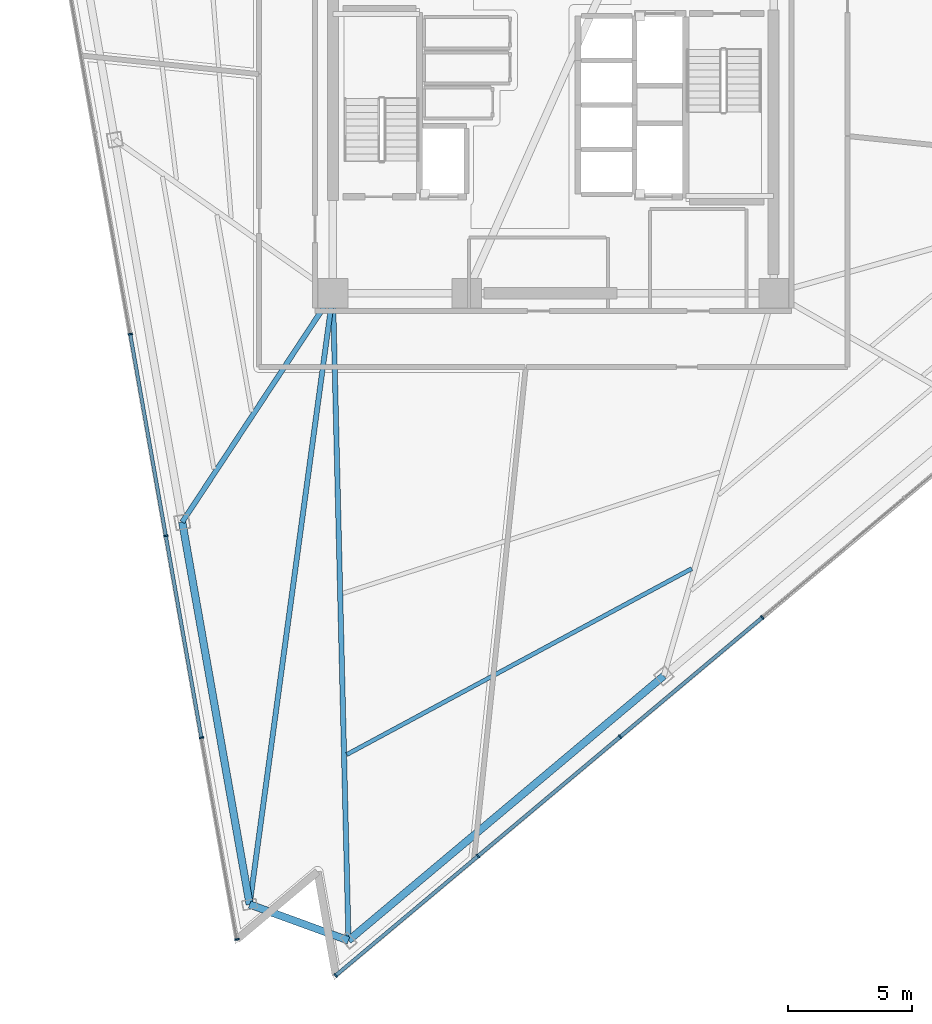
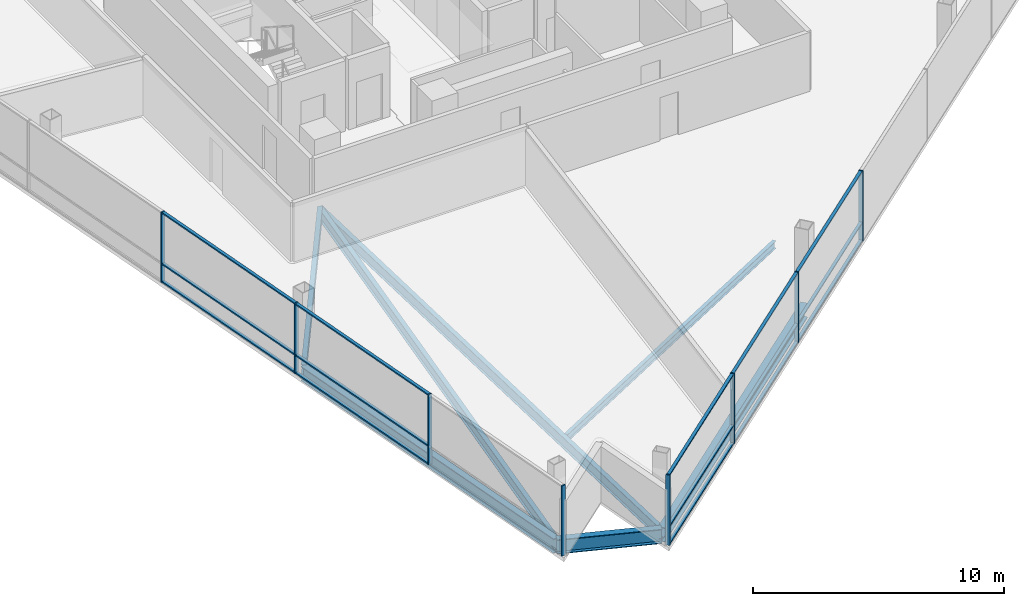
# One storey, part 2 of 17: 23 members, 7 beams, 2 elements without a shape of their own.
"""IFC4 building model written with IfcOpenShell, lengths in metres."""

from ifc_helpers import new_model, si_unit, direction, frame, origin, origin_2d, place, context, subcontext, project, spatial, rectangle, i_section, extrude, material, layer, layer_set, material_profile, profile_set, type_object, element, aggregate, save


model = new_model("IFC4")

# Units and contexts
model_context = context("Model", 3, precision=1e-05, world=origin(), true_north=direction((0.0, 1.0)))
body_context = subcontext(model_context, "Body", "Model", "MODEL_VIEW")
ifc_project = project(units=[si_unit("LENGTHUNIT", "METRE"), si_unit("AREAUNIT", "SQUARE_METRE"), si_unit("VOLUMEUNIT", "CUBIC_METRE"), si_unit("PLANEANGLEUNIT", "RADIAN"), si_unit("MASSUNIT", "GRAM", prefix="KILO")], contexts=[model_context])

# Site, building, storey
site_placement = place(None, origin())
site = spatial("IfcSite", under=ifc_project, at=site_placement, CompositionType="ELEMENT")
building_placement = place(site_placement, origin())
building = spatial("IfcBuilding", under=site, at=building_placement, Name="Tharavind Bronze Gate", CompositionType="ELEMENT")
storey_placement = place(building_placement, frame((0.0, 0.0, 184.89990234375)))
storey = spatial("IfcBuildingStorey", under=building, at=storey_placement, Name="L47", CompositionType="ELEMENT", Elevation=184.89990234375)

# Curtain wall, members
ifc_material_1 = material(Name="Anodised Bronze Aluminium", Category="aluminium")
ifc_layer = layer(ifc_material_1, 0.219970703125)
ifc_layer_set = layer_set([ifc_layer], Name="Anodised Bronze Aluminium")
curtain_wall_type = type_object("IfcCurtainWallType", Name="UNITISED CURTAIN WALL MID OFFICE", PredefinedType="USERDEFINED", material=ifc_layer_set)
curtain_wall_1_placement = place(storey_placement, origin())
curtain_wall_1 = element("IfcCurtainWall", 1, at=curtain_wall_1_placement, inside=storey, type_object=curtain_wall_type, Name="L47 unitised curtain wall mid office CW-L47-S1", ObjectType="UNITISED CURTAIN WALL", PredefinedType="USERDEFINED")
member_type_1 = type_object("IfcMemberType", Name="CURTAIN WALL BRONZE MULLION 65X180", PredefinedType="MULLION", material=ifc_material_1)
member_1_placement = place(storey_placement, frame((-17.086669921875, -9.250732421875, 0.000244140625), z_axis=(0.0, 0.0, 1.0), x_axis=(0.173648177667, -0.984807753012, 0.0)))
member_1 = element("IfcMember", 2, at=member_1_placement, type_object=member_type_1, Name="CW-L47-S1 mullion 4", PredefinedType="MULLION", context=body_context, shape_type="SweptSolid", body=[
    extrude(rectangle(XDim=0.06494140625, YDim=0.179931640625, at=origin_2d()), origin(), (0.0, 0.0, 1.0), 3.419921875),
])
member_2_placement = place(storey_placement, frame((-15.650146484375, -17.3984375, 0.000244140625), z_axis=(0.0, 0.0, 1.0), x_axis=(0.173648177667, -0.984807753012, 0.0)))
member_2 = element("IfcMember", 3, at=member_2_placement, type_object=member_type_1, Name="CW-L47-S1 mullion 5", PredefinedType="MULLION", context=body_context, shape_type="SweptSolid", body=[
    extrude(rectangle(XDim=0.06494140625, YDim=0.179931640625, at=origin_2d()), origin(), (0.0, 0.0, 1.0), 3.419921875),
])
member_3_placement = place(storey_placement, frame((-14.21337890625, -25.546142578125, 0.000244140625), z_axis=(0.0, 0.0, 1.0), x_axis=(0.173648177667, -0.984807753012, 0.0)))
member_3 = element("IfcMember", 4, at=member_3_placement, type_object=member_type_1, Name="CW-L47-S1 mullion 6", PredefinedType="MULLION", context=body_context, shape_type="SweptSolid", body=[
    extrude(rectangle(XDim=0.06494140625, YDim=0.179931640625, at=origin_2d()), origin(), (0.0, 0.0, 1.0), 3.419921875),
])
member_4_placement = place(storey_placement, frame((-12.77685546875, -33.69384765625, 0.000244140625), z_axis=(0.0, 0.0, 1.0), x_axis=(0.173648177667, -0.984807753012, 0.0)))
member_4 = element("IfcMember", 5, at=member_4_placement, type_object=member_type_1, Name="CW-L47-S1 mullion 7", PredefinedType="MULLION", context=body_context, shape_type="SweptSolid", body=[
    extrude(rectangle(XDim=0.06494140625, YDim=0.179931640625, at=origin_2d()), origin(), (0.0, 0.0, 1.0), 3.419921875),
])

curtain_wall_2_placement = place(storey_placement, origin())
curtain_wall_2 = element("IfcCurtainWall", 6, at=curtain_wall_2_placement, inside=storey, type_object=curtain_wall_type, Name="L47 unitised curtain wall mid office CW-L47-S2", ObjectType="UNITISED CURTAIN WALL", PredefinedType="USERDEFINED")
member_5_placement = place(storey_placement, frame((-8.784912109375, -35.146728515625, 0.000244140625), z_axis=(0.0, 0.0, 1.0), x_axis=(0.766043321242, 0.642788946685, 0.0)))
member_5 = element("IfcMember", 7, at=member_5_placement, type_object=member_type_1, Name="CW-L47-S2 mullion 1", PredefinedType="MULLION", context=body_context, shape_type="SweptSolid", body=[
    extrude(rectangle(XDim=0.06494140625, YDim=0.179931640625, at=origin_2d()), origin(), (0.0, 0.0, 1.0), 3.419921875),
])
member_6_placement = place(storey_placement, frame((-3.042724609375, -30.328369140625, 0.000244140625), z_axis=(0.0, 0.0, 1.0), x_axis=(0.766043321242, 0.642788946685, 0.0)))
member_6 = element("IfcMember", 8, at=member_6_placement, type_object=member_type_1, Name="CW-L47-S2 mullion 2", PredefinedType="MULLION", context=body_context, shape_type="SweptSolid", body=[
    extrude(rectangle(XDim=0.06494140625, YDim=0.179931640625, at=origin_2d()), origin(), (0.0, 0.0, 1.0), 3.419921875),
])
member_7_placement = place(storey_placement, frame((2.69970703125, -25.510009765625, 0.000244140625), z_axis=(0.0, 0.0, 1.0), x_axis=(0.766043321242, 0.642788946685, 0.0)))
member_7 = element("IfcMember", 9, at=member_7_placement, type_object=member_type_1, Name="CW-L47-S2 mullion 3", PredefinedType="MULLION", context=body_context, shape_type="SweptSolid", body=[
    extrude(rectangle(XDim=0.06494140625, YDim=0.179931640625, at=origin_2d()), origin(), (0.0, 0.0, 1.0), 3.419921875),
])
member_8_placement = place(storey_placement, frame((8.44189453125, -20.691650390625, 0.000244140625), z_axis=(0.0, 0.0, 1.0), x_axis=(0.766043321242, 0.642788946685, 0.0)))
member_8 = element("IfcMember", 10, at=member_8_placement, type_object=member_type_1, Name="CW-L47-S2 mullion 4", PredefinedType="MULLION", context=body_context, shape_type="SweptSolid", body=[
    extrude(rectangle(XDim=0.06494140625, YDim=0.179931640625, at=origin_2d()), origin(), (0.0, 0.0, 1.0), 3.419921875),
])

# Member
member_type_2 = type_object("IfcMemberType", Name="CURTAIN WALL BRONZE TRANSOM 65X140", PredefinedType="USERDEFINED", material=ifc_material_1)
member_9_placement = place(storey_placement, frame((-16.368408203125, -13.32470703125, 0.000244140625), z_axis=(0.0, 0.0, 1.0), x_axis=(0.173648177667, -0.984807753012, 0.0)))
member_9 = element("IfcMember", 11, at=member_9_placement, type_object=member_type_2, Name="CW-L47-S1 transom TB4", ObjectType="TRANSOM", PredefinedType="USERDEFINED", context=body_context, shape_type="SweptSolid", body=[
    extrude(rectangle(XDim=8.220458984375, YDim=0.139892578125, at=origin_2d()), origin(), (0.0, 0.0, 1.0), 0.06494140625),
])

member_10_placement = place(storey_placement, frame((-16.368408203125, -13.32470703125, 0.86767578125), z_axis=(0.0, 0.0, 1.0), x_axis=(0.173648177667, -0.984807753012, 0.0)))
member_10 = element("IfcMember", 12, at=member_10_placement, type_object=member_type_2, Name="CW-L47-S1 transom TS4", ObjectType="TRANSOM", PredefinedType="USERDEFINED", context=body_context, shape_type="SweptSolid", body=[
    extrude(rectangle(XDim=8.220458984375, YDim=0.139892578125, at=origin_2d()), origin(), (0.0, 0.0, 1.0), 0.06494140625),
])

member_11_placement = place(storey_placement, frame((-16.368408203125, -13.32470703125, 3.355224609375), z_axis=(0.0, 0.0, 1.0), x_axis=(0.173648177667, -0.984807753012, 0.0)))
member_11 = element("IfcMember", 13, at=member_11_placement, type_object=member_type_2, Name="CW-L47-S1 transom TT4", ObjectType="TRANSOM", PredefinedType="USERDEFINED", context=body_context, shape_type="SweptSolid", body=[
    extrude(rectangle(XDim=8.220458984375, YDim=0.139892578125, at=origin_2d()), origin(), (0.0, 0.0, 1.0), 0.06494140625),
])

member_12_placement = place(storey_placement, frame((-14.931884765625, -21.472412109375, 0.000244140625), z_axis=(0.0, 0.0, 1.0), x_axis=(0.173648177667, -0.984807753012, 0.0)))
member_12 = element("IfcMember", 14, at=member_12_placement, type_object=member_type_2, Name="CW-L47-S1 transom TB5", ObjectType="TRANSOM", PredefinedType="USERDEFINED", context=body_context, shape_type="SweptSolid", body=[
    extrude(rectangle(XDim=8.220458984375, YDim=0.139892578125, at=origin_2d()), origin(), (0.0, 0.0, 1.0), 0.06494140625),
])

member_13_placement = place(storey_placement, frame((-14.931884765625, -21.472412109375, 0.86767578125), z_axis=(0.0, 0.0, 1.0), x_axis=(0.173648177667, -0.984807753012, 0.0)))
member_13 = element("IfcMember", 15, at=member_13_placement, type_object=member_type_2, Name="CW-L47-S1 transom TS5", ObjectType="TRANSOM", PredefinedType="USERDEFINED", context=body_context, shape_type="SweptSolid", body=[
    extrude(rectangle(XDim=8.220458984375, YDim=0.139892578125, at=origin_2d()), origin(), (0.0, 0.0, 1.0), 0.06494140625),
])

member_14_placement = place(storey_placement, frame((-14.931884765625, -21.472412109375, 3.355224609375), z_axis=(0.0, 0.0, 1.0), x_axis=(0.173648177667, -0.984807753012, 0.0)))
member_14 = element("IfcMember", 16, at=member_14_placement, type_object=member_type_2, Name="CW-L47-S1 transom TT5", ObjectType="TRANSOM", PredefinedType="USERDEFINED", context=body_context, shape_type="SweptSolid", body=[
    extrude(rectangle(XDim=8.220458984375, YDim=0.139892578125, at=origin_2d()), origin(), (0.0, 0.0, 1.0), 0.06494140625),
])

aggregate(curtain_wall_1, [member_1, member_2, member_3, member_4, member_9, member_10, member_11, member_12, member_13, member_14])

member_15_placement = place(storey_placement, frame((-5.913818359375, -32.737548828125, 0.000244140625), z_axis=(0.0, 0.0, 1.0), x_axis=(0.766043321242, 0.642788946685, 0.0)))
member_15 = element("IfcMember", 17, at=member_15_placement, type_object=member_type_2, Name="CW-L47-S2 transom TB1", ObjectType="TRANSOM", PredefinedType="USERDEFINED", context=body_context, shape_type="SweptSolid", body=[
    extrude(rectangle(XDim=7.443115234375, YDim=0.139892578125, at=origin_2d()), origin(), (0.0, 0.0, 1.0), 0.06494140625),
])

member_16_placement = place(storey_placement, frame((-5.913818359375, -32.737548828125, 0.86767578125), z_axis=(0.0, 0.0, 1.0), x_axis=(0.766043321242, 0.642788946685, 0.0)))
member_16 = element("IfcMember", 18, at=member_16_placement, type_object=member_type_2, Name="CW-L47-S2 transom TS1", ObjectType="TRANSOM", PredefinedType="USERDEFINED", context=body_context, shape_type="SweptSolid", body=[
    extrude(rectangle(XDim=7.443115234375, YDim=0.139892578125, at=origin_2d()), origin(), (0.0, 0.0, 1.0), 0.06494140625),
])

member_17_placement = place(storey_placement, frame((-5.913818359375, -32.737548828125, 3.355224609375), z_axis=(0.0, 0.0, 1.0), x_axis=(0.766043321242, 0.642788946685, 0.0)))
member_17 = element("IfcMember", 19, at=member_17_placement, type_object=member_type_2, Name="CW-L47-S2 transom TT1", ObjectType="TRANSOM", PredefinedType="USERDEFINED", context=body_context, shape_type="SweptSolid", body=[
    extrude(rectangle(XDim=7.443115234375, YDim=0.139892578125, at=origin_2d()), origin(), (0.0, 0.0, 1.0), 0.06494140625),
])

member_18_placement = place(storey_placement, frame((-0.171630859375, -27.919189453125, 0.000244140625), z_axis=(0.0, 0.0, 1.0), x_axis=(0.766043321242, 0.642788946685, 0.0)))
member_18 = element("IfcMember", 20, at=member_18_placement, type_object=member_type_2, Name="CW-L47-S2 transom TB2", ObjectType="TRANSOM", PredefinedType="USERDEFINED", context=body_context, shape_type="SweptSolid", body=[
    extrude(rectangle(XDim=7.443115234375, YDim=0.139892578125, at=origin_2d()), origin(), (0.0, 0.0, 1.0), 0.06494140625),
])

member_19_placement = place(storey_placement, frame((-0.171630859375, -27.919189453125, 0.86767578125), z_axis=(0.0, 0.0, 1.0), x_axis=(0.766043321242, 0.642788946685, 0.0)))
member_19 = element("IfcMember", 21, at=member_19_placement, type_object=member_type_2, Name="CW-L47-S2 transom TS2", ObjectType="TRANSOM", PredefinedType="USERDEFINED", context=body_context, shape_type="SweptSolid", body=[
    extrude(rectangle(XDim=7.443115234375, YDim=0.139892578125, at=origin_2d()), origin(), (0.0, 0.0, 1.0), 0.06494140625),
])

member_20_placement = place(storey_placement, frame((-0.171630859375, -27.919189453125, 3.355224609375), z_axis=(0.0, 0.0, 1.0), x_axis=(0.766043321242, 0.642788946685, 0.0)))
member_20 = element("IfcMember", 22, at=member_20_placement, type_object=member_type_2, Name="CW-L47-S2 transom TT2", ObjectType="TRANSOM", PredefinedType="USERDEFINED", context=body_context, shape_type="SweptSolid", body=[
    extrude(rectangle(XDim=7.443115234375, YDim=0.139892578125, at=origin_2d()), origin(), (0.0, 0.0, 1.0), 0.06494140625),
])

member_21_placement = place(storey_placement, frame((5.57080078125, -23.100830078125, 0.000244140625), z_axis=(0.0, 0.0, 1.0), x_axis=(0.766043321242, 0.642788946685, 0.0)))
member_21 = element("IfcMember", 23, at=member_21_placement, type_object=member_type_2, Name="CW-L47-S2 transom TB3", ObjectType="TRANSOM", PredefinedType="USERDEFINED", context=body_context, shape_type="SweptSolid", body=[
    extrude(rectangle(XDim=7.443115234375, YDim=0.139892578125, at=origin_2d()), origin(), (0.0, 0.0, 1.0), 0.06494140625),
])

member_22_placement = place(storey_placement, frame((5.57080078125, -23.100830078125, 0.86767578125), z_axis=(0.0, 0.0, 1.0), x_axis=(0.766043321242, 0.642788946685, 0.0)))
member_22 = element("IfcMember", 24, at=member_22_placement, type_object=member_type_2, Name="CW-L47-S2 transom TS3", ObjectType="TRANSOM", PredefinedType="USERDEFINED", context=body_context, shape_type="SweptSolid", body=[
    extrude(rectangle(XDim=7.443115234375, YDim=0.139892578125, at=origin_2d()), origin(), (0.0, 0.0, 1.0), 0.06494140625),
])

member_23_placement = place(storey_placement, frame((5.57080078125, -23.100830078125, 3.355224609375), z_axis=(0.0, 0.0, 1.0), x_axis=(0.766043321242, 0.642788946685, 0.0)))
member_23 = element("IfcMember", 25, at=member_23_placement, type_object=member_type_2, Name="CW-L47-S2 transom TT3", ObjectType="TRANSOM", PredefinedType="USERDEFINED", context=body_context, shape_type="SweptSolid", body=[
    extrude(rectangle(XDim=7.443115234375, YDim=0.139892578125, at=origin_2d()), origin(), (0.0, 0.0, 1.0), 0.06494140625),
])

aggregate(curtain_wall_2, [member_5, member_6, member_7, member_8, member_15, member_16, member_17, member_18, member_19, member_20, member_21, member_22, member_23])

# Beams
ifc_material_2 = material(Name="Steel S355", Category="steel")
ifc_material_profile_1 = material_profile(ifc_material_2, i_section(OverallWidth=0.2099609375, OverallDepth=0.550048828125, WebThickness=0.010986328125, FlangeThickness=0.01708984375, at=origin_2d()), Name="IPE550")
ifc_profile_set_1 = profile_set([ifc_material_profile_1], Name="Steel S355")
beam_type_1 = type_object("IfcBeamType", Name="PRIMARY GIRDER IPE550", PredefinedType="USERDEFINED", material=ifc_profile_set_1)
beam_1_placement = place(storey_placement, frame((-14.98681640625, -16.841796875, -0.454833984375), z_axis=(0.550048368659, 0.835132799102, 0.0), x_axis=(-0.835132799102, 0.550048368659, 0.0)))
element("IfcBeam", 26, at=beam_1_placement, inside=storey, type_object=beam_type_1, Name="L47 primary girder ipe550 BM-L47-RAD03", ObjectType="GIRDER", PredefinedType="USERDEFINED", context=body_context, shape_type="SweptSolid", body=[
    extrude(i_section(OverallWidth=0.2099609375, OverallDepth=0.550048828125, WebThickness=0.010986328125, FlangeThickness=0.01708984375, at=origin_2d()), origin(), (0.0, 0.0, 1.0), 11.066162109375),
])
beam_2_placement = place(storey_placement, frame((-12.263916015625, -32.2841796875, -0.454833984375), z_axis=(0.135034486087, 0.99084089922, 0.0), x_axis=(-0.99084089922, 0.135034486087, 0.0)))
element("IfcBeam", 27, at=beam_2_placement, inside=storey, type_object=beam_type_1, Name="L47 primary girder ipe550 BM-L47-RAD04", ObjectType="GIRDER", PredefinedType="USERDEFINED", context=body_context, shape_type="SweptSolid", body=[
    extrude(i_section(OverallWidth=0.2099609375, OverallDepth=0.550048828125, WebThickness=0.010986328125, FlangeThickness=0.01708984375, at=origin_2d()), origin(), (0.0, 0.0, 1.0), 24.912353515625),
])
beam_3_placement = place(storey_placement, frame((-8.27197265625, -33.737060546875, -0.454833984375), z_axis=(-0.024017654771, 0.999711534523, 0.0), x_axis=(-0.999711534523, -0.024017654771, 0.0)))
element("IfcBeam", 28, at=beam_3_placement, inside=storey, type_object=beam_type_1, Name="L47 primary girder ipe550 BM-L47-RAD05", ObjectType="GIRDER", PredefinedType="USERDEFINED", context=body_context, shape_type="SweptSolid", body=[
    extrude(i_section(OverallWidth=0.2099609375, OverallDepth=0.550048828125, WebThickness=0.010986328125, FlangeThickness=0.01708984375, at=origin_2d()), origin(), (0.0, 0.0, 1.0), 26.14453125),
])
ifc_material_profile_2 = material_profile(ifc_material_2, i_section(OverallWidth=0.300048828125, OverallDepth=0.699951171875, WebThickness=0.01708984375, FlangeThickness=0.031982421875, at=origin_2d()), Name="HE700B")
ifc_profile_set_2 = profile_set([ifc_material_profile_2], Name="Steel S355")
beam_type_2 = type_object("IfcBeamType", Name="RING GIRDER HE700B", PredefinedType="USERDEFINED", material=ifc_profile_set_2)
beam_4_placement = place(storey_placement, frame((-14.98681640625, -16.841796875, -0.52978515625), z_axis=(0.173647661488, -0.984807844028, 0.0), x_axis=(0.984807844028, 0.173647661488, 0.0)))
element("IfcBeam", 29, at=beam_4_placement, inside=storey, type_object=beam_type_2, Name="L47 ring girder he700b BM-L47-PRG03", ObjectType="GIRDER", PredefinedType="USERDEFINED", context=body_context, shape_type="SweptSolid", body=[
    extrude(i_section(OverallWidth=0.300048828125, OverallDepth=0.699951171875, WebThickness=0.01708984375, FlangeThickness=0.031982421875, at=origin_2d()), origin(), (0.0, 0.0, 1.0), 15.6806640625),
])
beam_5_placement = place(storey_placement, frame((-12.263916015625, -32.2841796875, -0.52978515625), z_axis=(0.939697742591, -0.342006070953, 0.0), x_axis=(0.342006070953, 0.939697742591, 0.0)))
element("IfcBeam", 30, at=beam_5_placement, inside=storey, type_object=beam_type_2, Name="L47 ring girder he700b BM-L47-PRG04", ObjectType="GIRDER", PredefinedType="USERDEFINED", context=body_context, shape_type="SweptSolid", body=[
    extrude(i_section(OverallWidth=0.300048828125, OverallDepth=0.699951171875, WebThickness=0.01708984375, FlangeThickness=0.031982421875, at=origin_2d()), origin(), (0.0, 0.0, 1.0), 4.248046875),
])
beam_6_placement = place(storey_placement, frame((-8.27197265625, -33.737060546875, -0.52978515625), z_axis=(0.766042947444, 0.642789392159, 0.0), x_axis=(-0.642789392159, 0.766042947444, 0.0)))
element("IfcBeam", 31, at=beam_6_placement, inside=storey, type_object=beam_type_2, Name="L47 ring girder he700b BM-L47-PRG05", ObjectType="GIRDER", PredefinedType="USERDEFINED", context=body_context, shape_type="SweptSolid", body=[
    extrude(i_section(OverallWidth=0.300048828125, OverallDepth=0.699951171875, WebThickness=0.01708984375, FlangeThickness=0.031982421875, at=origin_2d()), origin(), (0.0, 0.0, 1.0), 16.624755859375),
])
ifc_material_profile_3 = material_profile(ifc_material_2, i_section(OverallWidth=0.169921875, OverallDepth=0.360107421875, WebThickness=0.008056640625, FlangeThickness=0.0126953125, at=origin_2d()), Name="IPE360")
ifc_profile_set_3 = profile_set([ifc_material_profile_3], Name="Steel S355")
beam_type_3 = type_object("IfcBeamType", Name="SECONDARY FLOOR JOIST IPE360", PredefinedType="JOIST", material=ifc_profile_set_3)
beam_7_placement = place(storey_placement, frame((-8.34375, -26.230224609375, -0.35986328125), z_axis=(0.880319056921, 0.474382080207, 0.0), x_axis=(-0.474382080207, 0.880319056921, 0.0)))
element("IfcBeam", 32, at=beam_7_placement, inside=storey, type_object=beam_type_3, Name="L47 secondary floor joist ipe360 BM-L47-JSTB05", PredefinedType="JOIST", context=body_context, shape_type="SweptSolid", body=[
    extrude(i_section(OverallWidth=0.169921875, OverallDepth=0.360107421875, WebThickness=0.008056640625, FlangeThickness=0.0126953125, at=origin_2d()), origin(), (0.0, 0.0, 1.0), 15.833740234375),
])

save(model, "model.ifc")
